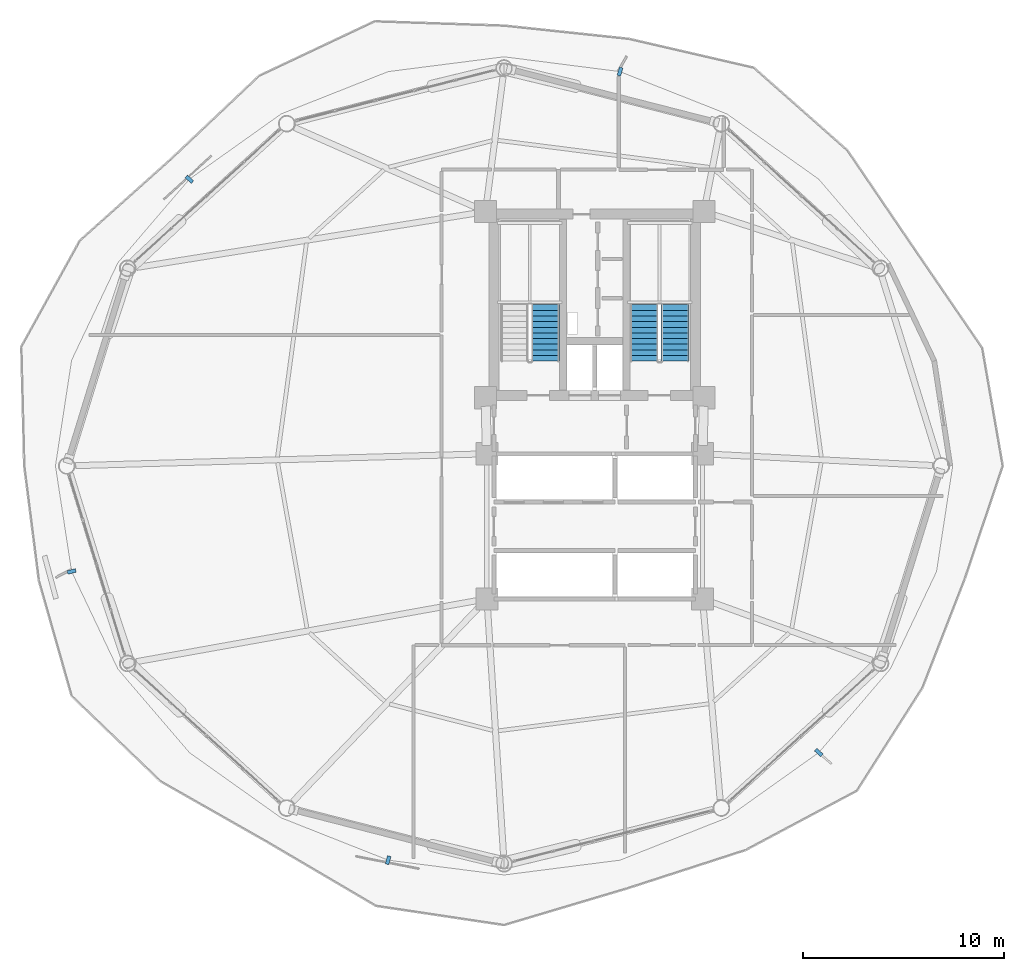
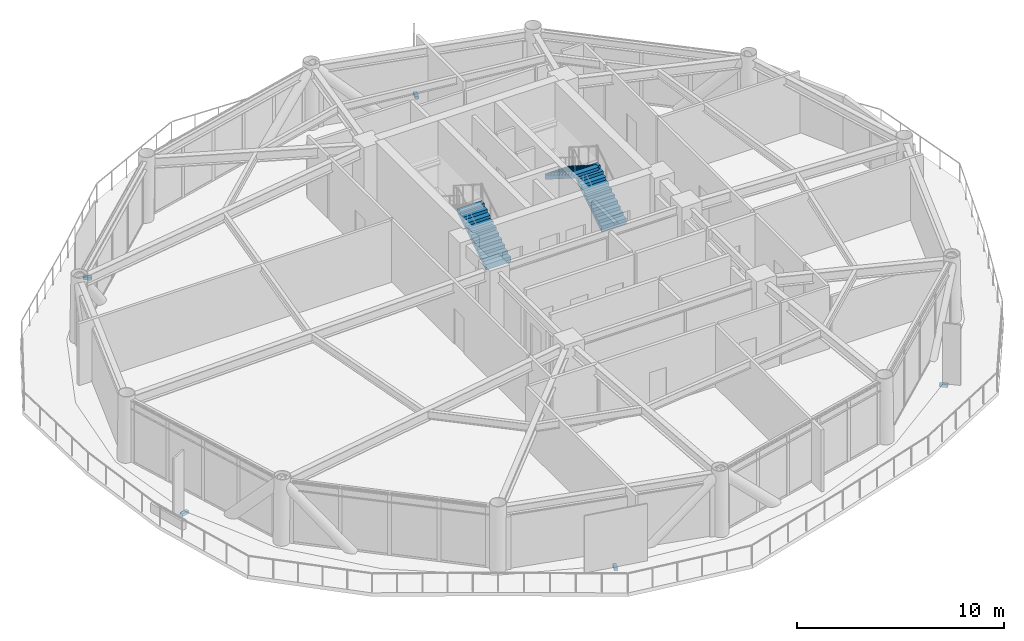
# One storey, part 23 of 26: 5 discrete accessories, 3 stair flights, 2 elements without a shape of their own.
"""IFC4 building model written with IfcOpenShell, lengths in metres."""

from ifc_helpers import new_model, si_unit, direction, frame, origin, origin_2d, place, context, subcontext, project, spatial, polyline, rectangle, outline, extrude, source, transform, mapped, material, type_object, type_shapes, element, aggregate, save


model = new_model("IFC4")

# Units and contexts
model_context = context("Model", 3, precision=1e-05, world=origin(), true_north=direction((0.0, 1.0)))
body_context = subcontext(model_context, "Body", "Model", "MODEL_VIEW")
ifc_project = project(units=[si_unit("LENGTHUNIT", "METRE"), si_unit("AREAUNIT", "SQUARE_METRE"), si_unit("VOLUMEUNIT", "CUBIC_METRE"), si_unit("PLANEANGLEUNIT", "RADIAN"), si_unit("MASSUNIT", "GRAM", prefix="KILO")], contexts=[model_context])

# Site, building, storey
site_placement = place(None, origin())
site = spatial("IfcSite", under=ifc_project, at=site_placement, CompositionType="ELEMENT")
building_placement = place(site_placement, origin())
building = spatial("IfcBuilding", under=site, at=building_placement, Name="Varnakorn Sky Granary", CompositionType="ELEMENT")
storey_placement = place(building_placement, frame((0.0, 0.0, 95.39990234375)))
storey = spatial("IfcBuildingStorey", under=building, at=storey_placement, Name="L23", CompositionType="ELEMENT", Elevation=95.39990234375)

# Stair, stair flight
ifc_material_1 = material(Name="Concrete C40/50", Category="concrete")
stair_type = type_object("IfcStairType", Name="ST-MAIN-ASSEMBLY", PredefinedType="HALF_TURN_STAIR", material=ifc_material_1)
stair_1_placement = place(storey_placement, origin())
stair_1 = element("IfcStair", 1, at=stair_1_placement, inside=storey, type_object=stair_type, Name="L23 Protected Exit Stair ST-1", PredefinedType="HALF_TURN_STAIR")
stair_flight_type = type_object("IfcStairFlightType", Name="ST-MAIN-FLIGHT", PredefinedType="STRAIGHT", material=ifc_material_1)
stair_flight_1_placement = place(storey_placement, frame((0.550048828125, 5.199951171875, 0.0), z_axis=(0.0, 0.0, 1.0), x_axis=(0.0, 1.0, 0.0)))
stair_flight_1 = element("IfcStairFlight", 2, at=stair_flight_1_placement, type_object=stair_flight_type, Name="ST-1 flight 1", NumberOfRisers=11, NumberOfTreads=10, PredefinedType="STRAIGHT", RiserHeight=0.177272727, TreadLength=0.28, context=body_context, shape_type="SweptSolid", body=[
    extrude(outline(polyline([(0.0, -0.14990234375), (0.0, 0.0), (0.0, 0.17724609375), (0.280029296875, 0.17724609375), (0.280029296875, 0.3544921875), (0.56005859375, 0.3544921875), (0.56005859375, 0.53173828125), (0.840087890625, 0.53173828125), (0.840087890625, 0.708984375), (1.1201171875, 0.708984375), (1.1201171875, 0.886474609375), (1.39990234375, 0.886474609375), (1.39990234375, 1.063720703125), (1.679931640625, 1.063720703125), (1.679931640625, 1.240966796875), (1.9599609375, 1.240966796875), (1.9599609375, 1.418212890625), (2.239990234375, 1.418212890625), (2.239990234375, 1.595458984375), (2.52001953125, 1.595458984375), (2.52001953125, 1.772705078125), (2.800048828125, 1.772705078125), (2.800048828125, 1.949951171875), (2.800048828125, 1.59521484375), (0.050048828125, -0.14990234375), (0.0, -0.14990234375)])), frame((0.0, 0.68994140625, 0.0), z_axis=(0.0, -1.0, 0.0), x_axis=(1.0, 0.0, 0.0)), (0.0, 0.0, 1.0), 1.3798828125),
])
aggregate(stair_1, [stair_flight_1])

# Stair, stair flights
stair_2_placement = place(storey_placement, origin())
stair_2 = element("IfcStair", 3, at=stair_2_placement, inside=storey, type_object=stair_type, Name="L23 Protected Exit Stair ST-2", PredefinedType="HALF_TURN_STAIR")
stair_flight_2_placement = place(storey_placement, frame((6.989990234375, 5.199951171875, 0.0), z_axis=(0.0, 0.0, 1.0), x_axis=(0.0, 1.0, 0.0)))
stair_flight_2 = element("IfcStairFlight", 4, at=stair_flight_2_placement, type_object=stair_flight_type, Name="ST-2 flight 1", NumberOfRisers=11, NumberOfTreads=10, PredefinedType="STRAIGHT", RiserHeight=0.177272727, TreadLength=0.28, context=body_context, shape_type="SweptSolid", body=[
    extrude(outline(polyline([(0.0, -0.14990234375), (0.0, 0.0), (0.0, 0.17724609375), (0.280029296875, 0.17724609375), (0.280029296875, 0.3544921875), (0.56005859375, 0.3544921875), (0.56005859375, 0.53173828125), (0.840087890625, 0.53173828125), (0.840087890625, 0.708984375), (1.1201171875, 0.708984375), (1.1201171875, 0.886474609375), (1.39990234375, 0.886474609375), (1.39990234375, 1.063720703125), (1.679931640625, 1.063720703125), (1.679931640625, 1.240966796875), (1.9599609375, 1.240966796875), (1.9599609375, 1.418212890625), (2.239990234375, 1.418212890625), (2.239990234375, 1.595458984375), (2.52001953125, 1.595458984375), (2.52001953125, 1.772705078125), (2.800048828125, 1.772705078125), (2.800048828125, 1.949951171875), (2.800048828125, 1.59521484375), (0.050048828125, -0.14990234375), (0.0, -0.14990234375)])), frame((0.0, 0.68994140625, 0.0), z_axis=(0.0, -1.0, 0.0), x_axis=(1.0, 0.0, 0.0)), (0.0, 0.0, 1.0), 1.3798828125),
])
stair_flight_3_placement = place(storey_placement, frame((5.4599609375, 8.0, 1.9501953125), z_axis=(0.0, 0.0, 1.0), x_axis=(0.0, -1.0, 0.0)))
stair_flight_3 = element("IfcStairFlight", 5, at=stair_flight_3_placement, type_object=stair_flight_type, Name="ST-2 flight 2", NumberOfRisers=11, NumberOfTreads=10, PredefinedType="STRAIGHT", RiserHeight=0.177272727, TreadLength=0.28, context=body_context, shape_type="SweptSolid", body=[
    extrude(outline(polyline([(0.0, -0.14990234375), (0.0, 0.0), (0.0, 0.17724609375), (0.280029296875, 0.17724609375), (0.280029296875, 0.3544921875), (0.56005859375, 0.3544921875), (0.56005859375, 0.53173828125), (0.840087890625, 0.53173828125), (0.840087890625, 0.708984375), (1.1201171875, 0.708984375), (1.1201171875, 0.886474609375), (1.39990234375, 0.886474609375), (1.39990234375, 1.063720703125), (1.679931640625, 1.063720703125), (1.679931640625, 1.240966796875), (1.9599609375, 1.240966796875), (1.9599609375, 1.418212890625), (2.239990234375, 1.418212890625), (2.239990234375, 1.595458984375), (2.52001953125, 1.595458984375), (2.52001953125, 1.772705078125), (2.800048828125, 1.772705078125), (2.800048828125, 1.949951171875), (2.800048828125, 1.59521484375), (0.050048828125, -0.14990234375), (0.0, -0.14990234375)])), frame((0.0, 0.68994140625, 0.0), z_axis=(0.0, -1.0, 0.0), x_axis=(1.0, 0.0, 0.0)), (0.0, 0.0, 1.0), 1.3798828125),
])
aggregate(stair_2, [stair_flight_2, stair_flight_3])

# Discrete accessories
ifc_material_2 = material(Name="Steel S355JR", Category="steel")
discrete_accessory_type = type_object("IfcDiscreteAccessoryType", Name="AC-BRK-01", PredefinedType="BRACKET", material=ifc_material_2)
shared_shape = source(origin(), body_context, "Body", "SweptSolid", [
    extrude(rectangle(XDim=0.179931640625, YDim=0.419921875, at=origin_2d()), origin(), (0.0, 0.0, 1.0), 0.179931640625),
])
type_shapes(discrete_accessory_type, [shared_shape])
for number, where, z_axis, x_axis, name in (
    (6, (4.25439453125, 19.56884765625, -0.19970703125), (0.0, 0.0, 1.0), (-0.959382540609, 0.282108384801, 0.0), "Facade Solar-Screen Outrigger Bracket L23-03"),
    (7, (-17.12158203125, 14.2265625, -0.19970703125), (0.0, 0.0, 1.0), (-0.673318610776, -0.739352452071, 0.0), "Facade Solar-Screen Outrigger Bracket L23-05"),
    (8, (-22.965576171875, -5.2412109375, -0.19970703125), (0.0, 0.0, 1.0), (0.237194593006, -0.97146215832, 0.0), "Facade Solar-Screen Outrigger Bracket L23-07"),
    (9, (-7.25439453125, -19.56884765625, -0.19970703125), (0.0, 0.0, 1.0), (0.959382540609, -0.282108384801, 0.0), "Facade Solar-Screen Outrigger Bracket L23-09"),
    (10, (14.12158203125, -14.2265625, -0.19970703125), (0.0, 0.0, 1.0), (0.673318610776, 0.739352452071, 0.0), "Facade Solar-Screen Outrigger Bracket L23-11"),
):
    element("IfcDiscreteAccessory", number, at=place(storey_placement, frame(where, z_axis=z_axis, x_axis=x_axis)), inside=storey, type_object=discrete_accessory_type, Name=name, PredefinedType="BRACKET", context=body_context, shape_type="MappedRepresentation", body=[
        mapped(shared_shape, transform((0.0, 0.0, 0.0), x_axis=(1.0, 0.0, 0.0), y_axis=(0.0, 1.0, 0.0), z_axis=(0.0, 0.0, 1.0), scale=1.0)),
    ])

save(model, "model.ifc")
